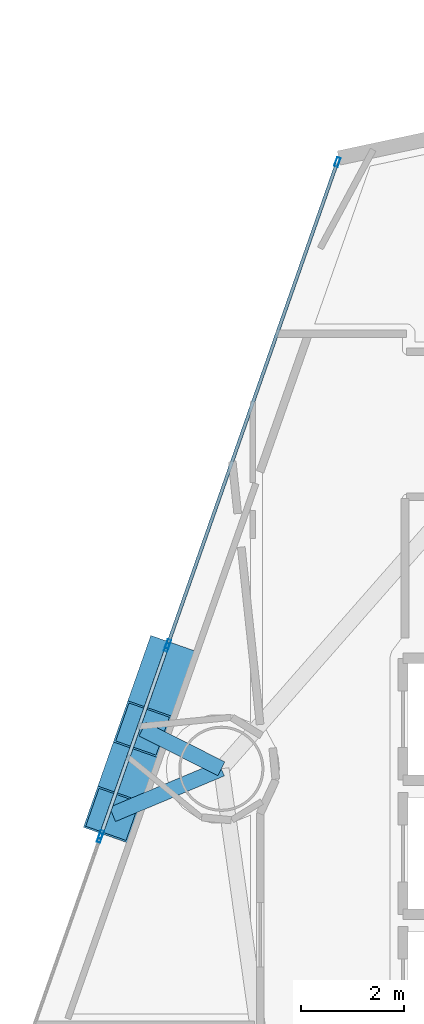
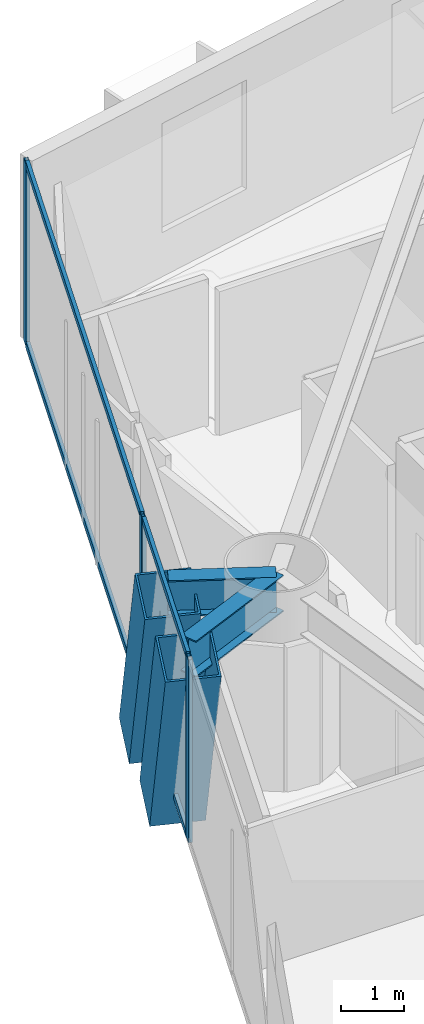
# One storey, part 8 of 23: 11 members, 2 beams, 3 elements without a shape of their own.
"""IFC4 building model written with IfcOpenShell, lengths in metres."""

from ifc_helpers import new_model, si_unit, direction, frame, origin, origin_2d, place, context, subcontext, project, spatial, hollow_rectangle, i_section, extrude, material, layer, layer_set, material_profile, profile_set, type_object, element, aggregate, save


model = new_model("IFC4")

# Units and contexts
model_context = context("Model", 3, precision=1e-05, world=origin(), true_north=direction((0.0, 1.0)))
body_context = subcontext(model_context, "Body", "Model", "MODEL_VIEW")
ifc_project = project(units=[si_unit("LENGTHUNIT", "METRE"), si_unit("AREAUNIT", "SQUARE_METRE"), si_unit("VOLUMEUNIT", "CUBIC_METRE"), si_unit("PLANEANGLEUNIT", "RADIAN"), si_unit("MASSUNIT", "GRAM", prefix="KILO")], contexts=[model_context])

# Site, building, storey
site_placement = place(None, origin())
site = spatial("IfcSite", under=ifc_project, at=site_placement, CompositionType="ELEMENT")
building_placement = place(site_placement, origin())
building = spatial("IfcBuilding", under=site, at=building_placement, Name="Qianvela Tower", CompositionType="ELEMENT")
storey_placement = place(building_placement, frame((0.0, 0.0, 63.60009765625)))
storey = spatial("IfcBuildingStorey", under=building, at=storey_placement, Name="L15", CompositionType="ELEMENT", Elevation=63.60009765625)

# Beams
ifc_material_1 = material(Name="Steel Q355B", Category="steel")
ifc_material_profile_1 = material_profile(ifc_material_1, i_section(OverallWidth=0.300048828125, OverallDepth=0.699951171875, WebThickness=0.012939453125, FlangeThickness=0.02392578125, at=origin_2d()), Name="HN700x300x13x24")
ifc_profile_set_1 = profile_set([ifc_material_profile_1], Name="Steel Q355B")
beam_type = type_object("IfcBeamType", Name="BM-HN700-SPAND", PredefinedType="SPANDREL", material=ifc_profile_set_1)
beam_1_placement = place(storey_placement, frame((22.8291015625, 30.340087890625, 3.16796875), z_axis=(-0.893023671863, 0.450009690442, 0.0), x_axis=(-0.450009690442, -0.893023671863, 0.0)))
element("IfcBeam", 1, at=beam_1_placement, inside=storey, type_object=beam_type, Name="L15 Mega-Brace Column Tie Bracket F2-1", PredefinedType="SPANDREL", context=body_context, shape_type="SweptSolid", body=[
    extrude(i_section(OverallWidth=0.300048828125, OverallDepth=0.699951171875, WebThickness=0.012939453125, FlangeThickness=0.02392578125, at=origin_2d()), origin(), (0.0, 0.0, 1.0), 1.7099609375),
])
beam_2_placement = place(storey_placement, frame((22.8291015625, 30.340087890625, 3.16796875), z_axis=(-0.92223738057, -0.386624124802, 0.0), x_axis=(0.386624124802, -0.92223738057, 0.0)))
element("IfcBeam", 2, at=beam_2_placement, inside=storey, type_object=beam_type, Name="L15 Mega-Brace Column Tie Bracket F2-2", PredefinedType="SPANDREL", context=body_context, shape_type="SweptSolid", body=[
    extrude(i_section(OverallWidth=0.300048828125, OverallDepth=0.699951171875, WebThickness=0.012939453125, FlangeThickness=0.02392578125, at=origin_2d()), origin(), (0.0, 0.0, 1.0), 2.285888671875),
])

# Curtain wall, members
ifc_material_2 = material(Name="Anodised Architectural Aluminium and Insulated Spandrel Panel", Category="aluminium")
ifc_layer_1 = layer(ifc_material_2, 0.179931640625)
ifc_layer_set_1 = layer_set([ifc_layer_1], Name="Anodised Architectural Aluminium and Insulated Spandrel Panel")
curtain_wall_type_1 = type_object("IfcCurtainWallType", Name="CW-BRACEBAY", PredefinedType="USERDEFINED", material=ifc_layer_set_1)
curtain_wall_1_placement = place(storey_placement, origin())
curtain_wall_1 = element("IfcCurtainWall", 3, at=curtain_wall_1_placement, inside=storey, type_object=curtain_wall_type_1, Name="L15 CW-BRACEBAY Curtain Wall 04B", ObjectType="CURTAIN_WALL_SYSTEM", PredefinedType="USERDEFINED")
ifc_material_3 = material(Name="Anodised Architectural Aluminium 6063-T6", Category="aluminium")
ifc_material_profile_2 = material_profile(ifc_material_3, hollow_rectangle(XDim=0.06494140625, YDim=0.159912109375, WallThickness=0.0048828125, at=origin_2d()), Name="ALU-MULL-65x160")
ifc_profile_set_2 = profile_set([ifc_material_profile_2], Name="Anodised Architectural Aluminium 6063-T6")
member_type_1 = type_object("IfcMemberType", Name="CW-BRACEBAY-MULL", PredefinedType="MULLION", material=ifc_profile_set_2)
member_1_placement = place(storey_placement, frame((21.773193359375, 32.6923828125, 0.0), z_axis=(0.0, 0.0, 1.0), x_axis=(0.943452140815, -0.331508760052, 0.0)))
member_1 = element("IfcMember", 4, at=member_1_placement, type_object=member_type_1, Name="CW-9 mullion 1", PredefinedType="MULLION", context=body_context, shape_type="SweptSolid", body=[
    extrude(hollow_rectangle(XDim=0.06494140625, YDim=0.159912109375, WallThickness=0.0048828125, at=origin_2d()), origin(), (0.0, 0.0, 1.0), 3.52001953125),
])
member_2_placement = place(storey_placement, frame((20.49853515625, 29.064697265625, 0.0), z_axis=(0.0, 0.0, 1.0), x_axis=(0.943452140815, -0.331508760052, 0.0)))
member_2 = element("IfcMember", 5, at=member_2_placement, type_object=member_type_1, Name="CW-9 mullion 2", PredefinedType="MULLION", context=body_context, shape_type="SweptSolid", body=[
    extrude(hollow_rectangle(XDim=0.06494140625, YDim=0.159912109375, WallThickness=0.0048828125, at=origin_2d()), origin(), (0.0, 0.0, 1.0), 3.52001953125),
])
ifc_material_4 = material(Name="Anodised Architectural Aluminium 6063-T6", Category="aluminium")
ifc_material_profile_3 = material_profile(ifc_material_4, hollow_rectangle(XDim=0.06494140625, YDim=0.1298828125, WallThickness=0.00439453125, at=origin_2d()), Name="ALU-TRAN-65x130")
ifc_profile_set_3 = profile_set([ifc_material_profile_3], Name="Anodised Architectural Aluminium 6063-T6")
member_type_2 = type_object("IfcMemberType", Name="CW-BRACEBAY-TRAN", PredefinedType="USERDEFINED", material=ifc_profile_set_3)
member_3_placement = place(storey_placement, frame((21.762451171875, 32.66162109375, 0.032470703125), z_axis=(-0.331532609172, -0.943443760409, 0.0), x_axis=(0.943443760409, -0.331532609172, 0.0)))
member_3 = element("IfcMember", 6, at=member_3_placement, type_object=member_type_2, Name="CW-9 transom 1.1", ObjectType="TRANSOM", PredefinedType="USERDEFINED", context=body_context, shape_type="SweptSolid", body=[
    extrude(hollow_rectangle(XDim=0.06494140625, YDim=0.1298828125, WallThickness=0.00439453125, at=origin_2d()), origin(), (0.0, 0.0, 1.0), 3.780029296875),
])
member_4_placement = place(storey_placement, frame((21.762451171875, 32.66162109375, 3.4873046875), z_axis=(-0.331532609172, -0.943443760409, 0.0), x_axis=(0.943443760409, -0.331532609172, 0.0)))
member_4 = element("IfcMember", 7, at=member_4_placement, type_object=member_type_2, Name="CW-9 transom 1.2", ObjectType="TRANSOM", PredefinedType="USERDEFINED", context=body_context, shape_type="SweptSolid", body=[
    extrude(hollow_rectangle(XDim=0.06494140625, YDim=0.1298828125, WallThickness=0.00439453125, at=origin_2d()), origin(), (0.0, 0.0, 1.0), 3.780029296875),
])
aggregate(curtain_wall_1, [member_1, member_2, member_3, member_4])

ifc_material_5 = material(Name="Anodised Architectural Aluminium and Low-E Glass", Category="aluminium")
ifc_layer_2 = layer(ifc_material_5, 0.179931640625)
ifc_layer_set_2 = layer_set([ifc_layer_2], Name="Anodised Architectural Aluminium and Low-E Glass")
curtain_wall_type_2 = type_object("IfcCurtainWallType", Name="CW-COLIV-Z12", PredefinedType="USERDEFINED", material=ifc_layer_set_2)
curtain_wall_2_placement = place(storey_placement, origin())
curtain_wall_2 = element("IfcCurtainWall", 8, at=curtain_wall_2_placement, inside=storey, type_object=curtain_wall_type_2, Name="L15 CW-COLIV-Z12 Curtain Wall 04A", ObjectType="CURTAIN_WALL_SYSTEM", PredefinedType="USERDEFINED")
ifc_material_6 = material(Name="Anodised Architectural Aluminium 6063-T6", Category="aluminium")
ifc_material_profile_4 = material_profile(ifc_material_6, hollow_rectangle(XDim=0.070068359375, YDim=0.179931640625, WallThickness=0.0048828125, at=origin_2d()), Name="ALU-MULL-70x180")
ifc_profile_set_4 = profile_set([ifc_material_profile_4], Name="Anodised Architectural Aluminium 6063-T6")
member_type_3 = type_object("IfcMemberType", Name="CW-COLIV-Z12-MULL", PredefinedType="MULLION", material=ifc_profile_set_4)
member_5_placement = place(storey_placement, frame((25.077392578125, 42.09619140625, 0.0), z_axis=(0.0, 0.0, 1.0), x_axis=(0.943453272269, -0.33150553999, 0.0)))
member_5 = element("IfcMember", 9, at=member_5_placement, type_object=member_type_3, Name="CW-3 mullion 1", PredefinedType="MULLION", context=body_context, shape_type="SweptSolid", body=[
    extrude(hollow_rectangle(XDim=0.070068359375, YDim=0.179931640625, WallThickness=0.0048828125, at=origin_2d()), origin(), (0.0, 0.0, 1.0), 3.52001953125),
])
member_6_placement = place(storey_placement, frame((21.795654296875, 32.756103515625, 0.0), z_axis=(0.0, 0.0, 1.0), x_axis=(0.943453272269, -0.33150553999, 0.0)))
member_6 = element("IfcMember", 10, at=member_6_placement, type_object=member_type_3, Name="CW-3 mullion 2", PredefinedType="MULLION", context=body_context, shape_type="SweptSolid", body=[
    extrude(hollow_rectangle(XDim=0.070068359375, YDim=0.179931640625, WallThickness=0.0048828125, at=origin_2d()), origin(), (0.0, 0.0, 1.0), 3.52001953125),
])

# Curtain wall, member
curtain_wall_3_placement = place(storey_placement, origin())
curtain_wall_3 = element("IfcCurtainWall", 11, at=curtain_wall_3_placement, inside=storey, type_object=curtain_wall_type_2, Name="L15 CW-COLIV-Z12 Curtain Wall 04C", ObjectType="CURTAIN_WALL_SYSTEM", PredefinedType="USERDEFINED")
member_7_placement = place(storey_placement, frame((20.476318359375, 29.0009765625, 0.0), z_axis=(0.0, 0.0, 1.0), x_axis=(0.943456383304, -0.331496685961, 0.0)))
member_7 = element("IfcMember", 12, at=member_7_placement, type_object=member_type_3, Name="CW-3 mullion 1", PredefinedType="MULLION", context=body_context, shape_type="SweptSolid", body=[
    extrude(hollow_rectangle(XDim=0.070068359375, YDim=0.179931640625, WallThickness=0.0048828125, at=origin_2d()), origin(), (0.0, 0.0, 1.0), 3.52001953125),
])
aggregate(curtain_wall_3, [member_7])

# Member
ifc_material_7 = material(Name="Anodised Architectural Aluminium 6063-T6", Category="aluminium")
ifc_material_profile_5 = material_profile(ifc_material_7, hollow_rectangle(XDim=0.06494140625, YDim=0.1298828125, WallThickness=0.00439453125, at=origin_2d()), Name="ALU-TRAN-65x130")
ifc_profile_set_5 = profile_set([ifc_material_profile_5], Name="Anodised Architectural Aluminium 6063-T6")
member_type_4 = type_object("IfcMemberType", Name="CW-COLIV-Z12-TRAN", PredefinedType="USERDEFINED", material=ifc_profile_set_5)
member_8_placement = place(storey_placement, frame((25.06591796875, 42.063232421875, 0.032470703125), z_axis=(-0.331512881863, -0.943450692489, 0.0), x_axis=(0.943450692489, -0.331512881863, 0.0)))
member_8 = element("IfcMember", 13, at=member_8_placement, type_object=member_type_4, Name="CW-3 transom 1.1", ObjectType="TRANSOM", PredefinedType="USERDEFINED", context=body_context, shape_type="SweptSolid", body=[
    extrude(hollow_rectangle(XDim=0.06494140625, YDim=0.1298828125, WallThickness=0.00439453125, at=origin_2d()), origin(), (0.0, 0.0, 1.0), 9.830078125),
])

member_9_placement = place(storey_placement, frame((25.06591796875, 42.063232421875, 3.4873046875), z_axis=(-0.331512881863, -0.943450692489, 0.0), x_axis=(0.943450692489, -0.331512881863, 0.0)))
member_9 = element("IfcMember", 14, at=member_9_placement, type_object=member_type_4, Name="CW-3 transom 1.2", ObjectType="TRANSOM", PredefinedType="USERDEFINED", context=body_context, shape_type="SweptSolid", body=[
    extrude(hollow_rectangle(XDim=0.06494140625, YDim=0.1298828125, WallThickness=0.00439453125, at=origin_2d()), origin(), (0.0, 0.0, 1.0), 9.830078125),
])

aggregate(curtain_wall_2, [member_5, member_6, member_8, member_9])

# Members
ifc_material_8 = material(Name="Steel Q420GJC", Category="steel")
ifc_material_profile_6 = material_profile(ifc_material_8, hollow_rectangle(XDim=0.89990234375, YDim=0.89990234375, WallThickness=0.035888671875, at=origin_2d()), Name="MBOX-900x900x36")
ifc_profile_set_6 = profile_set([ifc_material_profile_6], Name="Steel Q420GJC")
member_type_5 = type_object("IfcMemberType", Name="MBR-MBRACE-900", PredefinedType="BRACE", material=ifc_profile_set_6)
for number, where, z_axis, x_axis, name in (
    (15, (21.746826171875, 32.375732421875, -0.531982421875), (-0.113019922281, -0.321691172858, 0.940075149375), (0.94346629042, -0.331468488458, 0.0), "L15 Tier 2 Exterior Mega-Brace F2A"),
    (16, (21.166015625, 30.72265625, -0.531982421875), (-0.113078903358, -0.32174452645, 0.940049797253), (0.943429388067, -0.331573505773, 0.0), "L15 Tier 2 Exterior Mega-Brace F2B"),
):
    element("IfcMember", number, at=place(storey_placement, frame(where, z_axis=z_axis, x_axis=x_axis)), inside=storey, type_object=member_type_5, Name=name, PredefinedType="BRACE", context=body_context, shape_type="SweptSolid", body=[
        extrude(hollow_rectangle(XDim=0.89990234375, YDim=0.89990234375, WallThickness=0.035888671875, at=origin_2d()), origin(), (0.0, 0.0, 1.0), 3.935791015625),
    ])

save(model, "model.ifc")
